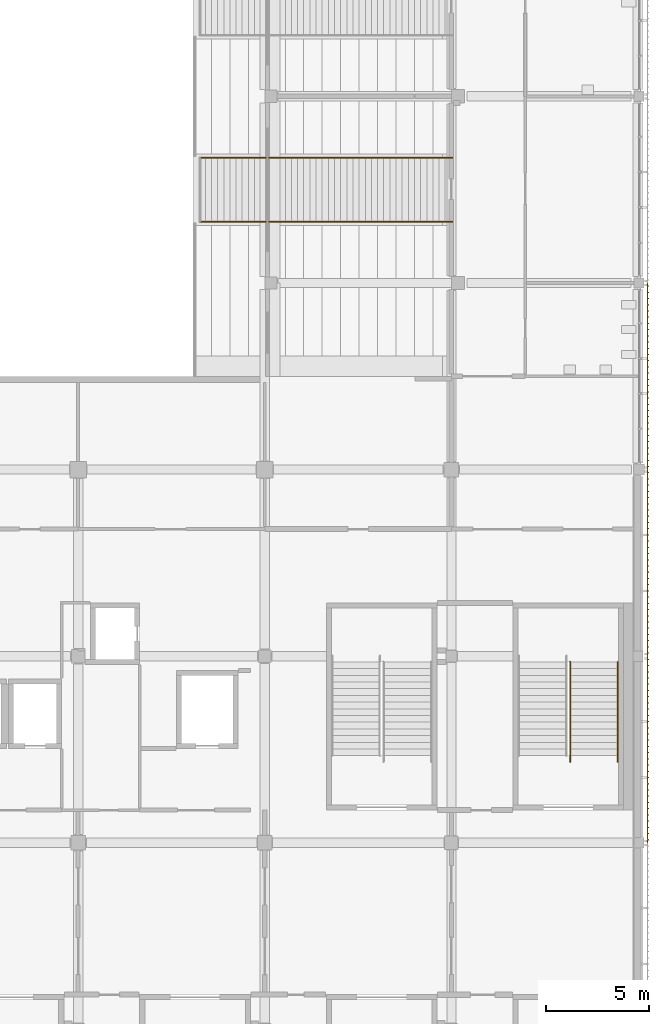
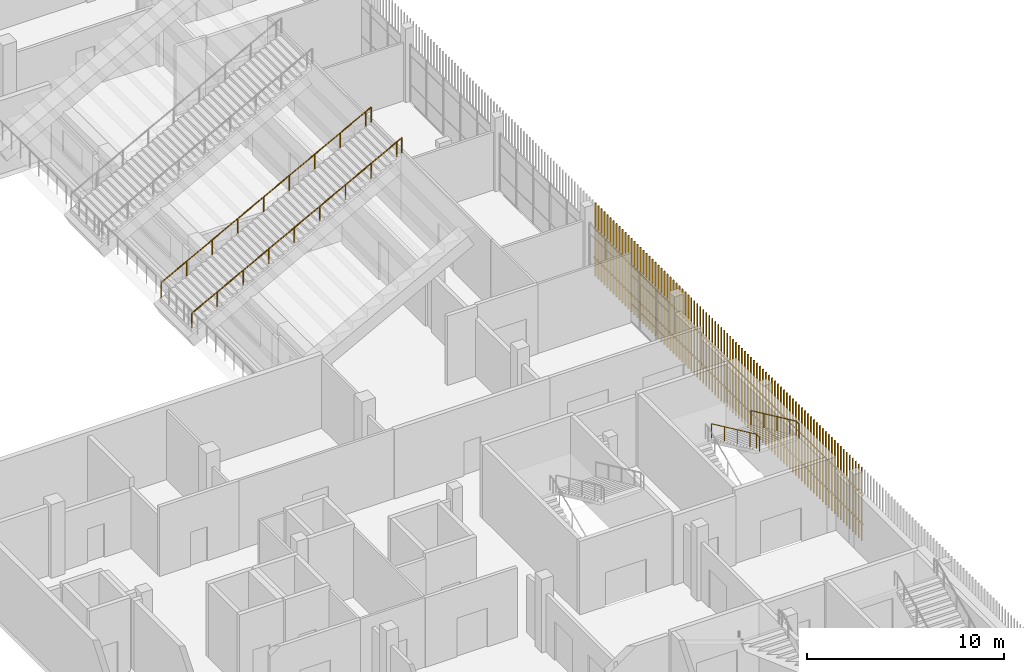
# One storey, part 132 of 139: 4 railings, 3 shading devices.
"""IFC4 building model written with IfcOpenShell, lengths in metres."""

from ifc_helpers import new_model, si_unit, direction, frame, origin, origin_2d, place, context, subcontext, project, spatial, rectangle, circle, extrude, material, type_object, element, save


model = new_model("IFC4")

# Units and contexts
model_context = context("Model", 3, precision=1e-05, world=origin(), true_north=direction((0.0, 1.0)))
body_context = subcontext(model_context, "Body", "Model", "MODEL_VIEW")
ifc_project = project(units=[si_unit("LENGTHUNIT", "METRE"), si_unit("AREAUNIT", "SQUARE_METRE"), si_unit("VOLUMEUNIT", "CUBIC_METRE"), si_unit("PLANEANGLEUNIT", "RADIAN"), si_unit("MASSUNIT", "GRAM", prefix="KILO")], contexts=[model_context])

# Site, building, storey
site_placement = place(None, origin())
site = spatial("IfcSite", under=ifc_project, at=site_placement, CompositionType="ELEMENT")
building_placement = place(site_placement, origin())
building = spatial("IfcBuilding", under=site, at=building_placement, Name="Shirokan Park Arena", CompositionType="ELEMENT")
storey_placement = place(building_placement, frame((0.0, 0.0, 15.469970703125)))
storey = spatial("IfcBuildingStorey", under=building, at=storey_placement, Name="L03", CompositionType="ELEMENT", Elevation=15.469970703125)

# Railings
ifc_material_1 = material(Name="Stainless steel", Category="steel")
railing_type_1 = type_object("IfcRailingType", Name="Aisle handrail 900", PredefinedType="HANDRAIL", material=ifc_material_1)
railing_1_placement = place(storey_placement, frame((124.25, 48.489990234375, 2.5400390625)))
element("IfcRailing", 1, at=railing_1_placement, inside=storey, type_object=railing_type_1, Name="Handrail vomitory stair E1 upper", PredefinedType="HANDRAIL", context=body_context, shape_type="SweptSolid", body=[
    extrude(circle(Radius=0.02490234375, at=origin_2d()), frame((0.0, 0.0, 0.90185546875), z_axis=(0.882341014787, 0.0, 0.470610596591), x_axis=(0.0, 1.0, 0.0)), (0.0, 0.0, 1.0), 1.699951171875),
    extrude(circle(Radius=0.02490234375, at=origin_2d()), frame((1.5, 0.0, 1.70166015625), z_axis=(0.882341014787, 0.0, 0.470610596591), x_axis=(0.0, 1.0, 0.0)), (0.0, 0.0, 1.0), 1.699951171875),
    extrude(circle(Radius=0.02490234375, at=origin_2d()), frame((3.0, 0.0, 2.501953125), z_axis=(0.88240064429, 0.0, 0.470498781037), x_axis=(0.0, 1.0, 0.0)), (0.0, 0.0, 1.0), 1.699951171875),
    extrude(circle(Radius=0.02490234375, at=origin_2d()), frame((4.5, 0.0, 3.3017578125), z_axis=(0.882341014787, 0.0, 0.470610596591), x_axis=(0.0, 1.0, 0.0)), (0.0, 0.0, 1.0), 1.699951171875),
    extrude(circle(Radius=0.02490234375, at=origin_2d()), frame((6.0, 0.0, 4.1015625), z_axis=(0.882341014787, 0.0, 0.470610596591), x_axis=(0.0, 1.0, 0.0)), (0.0, 0.0, 1.0), 1.699951171875),
    extrude(circle(Radius=0.02490234375, at=origin_2d()), frame((7.5, 0.0, 4.90185546875), z_axis=(0.882341014787, 0.0, 0.470610596591), x_axis=(0.0, 1.0, 0.0)), (0.0, 0.0, 1.0), 1.699951171875),
    extrude(circle(Radius=0.02490234375, at=origin_2d()), frame((9.0, 0.0, 5.70166015625), z_axis=(0.882341014787, 0.0, 0.470610596591), x_axis=(0.0, 1.0, 0.0)), (0.0, 0.0, 1.0), 1.699951171875),
    extrude(circle(Radius=0.02490234375, at=origin_2d()), frame((10.5, 0.0, 6.501953125), z_axis=(0.88240064429, 0.0, 0.470498781037), x_axis=(0.0, 1.0, 0.0)), (0.0, 0.0, 1.0), 1.699951171875),
    extrude(circle(Radius=0.02490234375, at=origin_2d()), frame((12.0, 0.0, 7.3017578125), z_axis=(0.882193928472, 0.0, 0.470886262878), x_axis=(0.0, 1.0, 0.0)), (0.0, 0.0, 1.0), 0.340087890625),
    extrude(circle(Radius=0.02490234375, at=origin_2d()), origin(), (0.0, 0.0, 1.0), 0.876708984375),
    extrude(circle(Radius=0.02490234375, at=origin_2d()), frame((1.5, 0.0, 0.800048828125)), (0.0, 0.0, 1.0), 0.876708984375),
    extrude(circle(Radius=0.02490234375, at=origin_2d()), frame((3.0, 0.0, 1.60009765625)), (0.0, 0.0, 1.0), 0.876708984375),
    extrude(circle(Radius=0.02490234375, at=origin_2d()), frame((4.5, 0.0, 2.39990234375)), (0.0, 0.0, 1.0), 0.876708984375),
    extrude(circle(Radius=0.02490234375, at=origin_2d()), frame((6.0, 0.0, 3.199951171875)), (0.0, 0.0, 1.0), 0.876708984375),
    extrude(circle(Radius=0.02490234375, at=origin_2d()), frame((7.5, 0.0, 4.0)), (0.0, 0.0, 1.0), 0.876708984375),
    extrude(circle(Radius=0.02490234375, at=origin_2d()), frame((9.0, 0.0, 4.800048828125)), (0.0, 0.0, 1.0), 0.876708984375),
    extrude(circle(Radius=0.02490234375, at=origin_2d()), frame((10.5, 0.0, 5.60009765625)), (0.0, 0.0, 1.0), 0.876708984375),
    extrude(circle(Radius=0.02490234375, at=origin_2d()), frame((12.0, 0.0, 6.39990234375)), (0.0, 0.0, 1.0), 0.876708984375),
    extrude(circle(Radius=0.02490234375, at=origin_2d()), frame((12.300048828125, 0.0, 6.56005859375)), (0.0, 0.0, 1.0), 0.876708984375),
])
railing_2_placement = place(storey_placement, frame((124.25, 51.610107421875, 2.5400390625)))
element("IfcRailing", 2, at=railing_2_placement, inside=storey, type_object=railing_type_1, Name="Handrail vomitory stair E1 upper", PredefinedType="HANDRAIL", context=body_context, shape_type="SweptSolid", body=[
    extrude(circle(Radius=0.02490234375, at=origin_2d()), frame((0.0, 0.0, 0.90185546875), z_axis=(0.882341014787, 0.0, 0.470610596591), x_axis=(0.0, 1.0, 0.0)), (0.0, 0.0, 1.0), 1.699951171875),
    extrude(circle(Radius=0.02490234375, at=origin_2d()), frame((1.5, 0.0, 1.70166015625), z_axis=(0.882341014787, 0.0, 0.470610596591), x_axis=(0.0, 1.0, 0.0)), (0.0, 0.0, 1.0), 1.699951171875),
    extrude(circle(Radius=0.02490234375, at=origin_2d()), frame((3.0, 0.0, 2.501953125), z_axis=(0.88240064429, 0.0, 0.470498781037), x_axis=(0.0, 1.0, 0.0)), (0.0, 0.0, 1.0), 1.699951171875),
    extrude(circle(Radius=0.02490234375, at=origin_2d()), frame((4.5, 0.0, 3.3017578125), z_axis=(0.882341014787, 0.0, 0.470610596591), x_axis=(0.0, 1.0, 0.0)), (0.0, 0.0, 1.0), 1.699951171875),
    extrude(circle(Radius=0.02490234375, at=origin_2d()), frame((6.0, 0.0, 4.1015625), z_axis=(0.882341014787, 0.0, 0.470610596591), x_axis=(0.0, 1.0, 0.0)), (0.0, 0.0, 1.0), 1.699951171875),
    extrude(circle(Radius=0.02490234375, at=origin_2d()), frame((7.5, 0.0, 4.90185546875), z_axis=(0.882341014787, 0.0, 0.470610596591), x_axis=(0.0, 1.0, 0.0)), (0.0, 0.0, 1.0), 1.699951171875),
    extrude(circle(Radius=0.02490234375, at=origin_2d()), frame((9.0, 0.0, 5.70166015625), z_axis=(0.882341014787, 0.0, 0.470610596591), x_axis=(0.0, 1.0, 0.0)), (0.0, 0.0, 1.0), 1.699951171875),
    extrude(circle(Radius=0.02490234375, at=origin_2d()), frame((10.5, 0.0, 6.501953125), z_axis=(0.88240064429, 0.0, 0.470498781037), x_axis=(0.0, 1.0, 0.0)), (0.0, 0.0, 1.0), 1.699951171875),
    extrude(circle(Radius=0.02490234375, at=origin_2d()), frame((12.0, 0.0, 7.3017578125), z_axis=(0.882193928472, 0.0, 0.470886262878), x_axis=(0.0, 1.0, 0.0)), (0.0, 0.0, 1.0), 0.340087890625),
    extrude(circle(Radius=0.02490234375, at=origin_2d()), origin(), (0.0, 0.0, 1.0), 0.876708984375),
    extrude(circle(Radius=0.02490234375, at=origin_2d()), frame((1.5, 0.0, 0.800048828125)), (0.0, 0.0, 1.0), 0.876708984375),
    extrude(circle(Radius=0.02490234375, at=origin_2d()), frame((3.0, 0.0, 1.60009765625)), (0.0, 0.0, 1.0), 0.876708984375),
    extrude(circle(Radius=0.02490234375, at=origin_2d()), frame((4.5, 0.0, 2.39990234375)), (0.0, 0.0, 1.0), 0.876708984375),
    extrude(circle(Radius=0.02490234375, at=origin_2d()), frame((6.0, 0.0, 3.199951171875)), (0.0, 0.0, 1.0), 0.876708984375),
    extrude(circle(Radius=0.02490234375, at=origin_2d()), frame((7.5, 0.0, 4.0)), (0.0, 0.0, 1.0), 0.876708984375),
    extrude(circle(Radius=0.02490234375, at=origin_2d()), frame((9.0, 0.0, 4.800048828125)), (0.0, 0.0, 1.0), 0.876708984375),
    extrude(circle(Radius=0.02490234375, at=origin_2d()), frame((10.5, 0.0, 5.60009765625)), (0.0, 0.0, 1.0), 0.876708984375),
    extrude(circle(Radius=0.02490234375, at=origin_2d()), frame((12.0, 0.0, 6.39990234375)), (0.0, 0.0, 1.0), 0.876708984375),
    extrude(circle(Radius=0.02490234375, at=origin_2d()), frame((12.300048828125, 0.0, 6.56005859375)), (0.0, 0.0, 1.0), 0.876708984375),
])
railing_type_2 = type_object("IfcRailingType", Name="Stair handrail 900", PredefinedType="HANDRAIL", material=ifc_material_1)
railing_3_placement = place(storey_placement, frame((142.2900390625, 27.023681640625, 2.4267578125)))
element("IfcRailing", 3, at=railing_3_placement, inside=storey, type_object=railing_type_2, Name="Handrail Exit Stair 2.E L03 to L04", PredefinedType="HANDRAIL", context=body_context, shape_type="SweptSolid", body=[
    extrude(circle(Radius=0.02392578125, at=origin_2d()), frame((0.0, 0.0, 0.8759765625), z_axis=(0.0, -0.906999720516, 0.421131222998), x_axis=(1.0, 0.0, 0.0)), (0.0, 0.0, 1.0), 1.440673828125),
    extrude(circle(Radius=0.02392578125, at=origin_2d()), frame((0.0, -1.306640625, 1.482421875), z_axis=(0.0, -0.907029769225, 0.421066500378), x_axis=(1.0, 0.0, 0.0)), (0.0, 0.0, 1.0), 1.44091796875),
    extrude(circle(Radius=0.02392578125, at=origin_2d()), frame((0.0, -2.613525390625, 2.08935546875), z_axis=(0.0, -0.907064445915, 0.420991794405), x_axis=(1.0, 0.0, 0.0)), (0.0, 0.0, 1.0), 1.4404296875),
    extrude(circle(Radius=0.02392578125, at=origin_2d()), frame((0.0, -3.920166015625, 2.69580078125), z_axis=(0.0, -0.906995101989, 0.421141169881), x_axis=(1.0, 0.0, 0.0)), (0.0, 0.0, 1.0), 0.720703125),
    extrude(circle(Radius=0.02392578125, at=origin_2d()), frame((0.0, -4.57373046875, 2.9990234375), z_axis=(0.0, -1.0, 0.0), x_axis=(1.0, 0.0, 0.0)), (0.0, 0.0, 1.0), 0.300048828125),
    extrude(circle(Radius=0.02099609375, at=origin_2d()), origin(), (0.0, 0.0, 1.0), 0.851806640625),
    extrude(circle(Radius=0.02099609375, at=origin_2d()), frame((0.0, -1.306640625, 0.606689453125)), (0.0, 0.0, 1.0), 0.851806640625),
    extrude(circle(Radius=0.02099609375, at=origin_2d()), frame((0.0, -2.613525390625, 1.21337890625)), (0.0, 0.0, 1.0), 0.851806640625),
    extrude(circle(Radius=0.02099609375, at=origin_2d()), frame((0.0, -3.920166015625, 1.81982421875)), (0.0, 0.0, 1.0), 0.851806640625),
    extrude(circle(Radius=0.02099609375, at=origin_2d()), frame((0.0, -4.57373046875, 2.123291015625)), (0.0, 0.0, 1.0), 0.851806640625),
    extrude(circle(Radius=0.02099609375, at=origin_2d()), frame((0.0, -4.873779296875, 2.123291015625)), (0.0, 0.0, 1.0), 0.851806640625),
])
railing_4_placement = place(storey_placement, frame((144.610107421875, 27.023681640625, 2.4267578125)))
element("IfcRailing", 4, at=railing_4_placement, inside=storey, type_object=railing_type_2, Name="Handrail Exit Stair 2.E L03 to L04", PredefinedType="HANDRAIL", context=body_context, shape_type="SweptSolid", body=[
    extrude(circle(Radius=0.02392578125, at=origin_2d()), frame((0.0, 0.0, 0.8759765625), z_axis=(0.0, -0.906999720516, 0.421131222998), x_axis=(1.0, 0.0, 0.0)), (0.0, 0.0, 1.0), 1.440673828125),
    extrude(circle(Radius=0.02392578125, at=origin_2d()), frame((0.0, -1.306640625, 1.482421875), z_axis=(0.0, -0.907029769225, 0.421066500378), x_axis=(1.0, 0.0, 0.0)), (0.0, 0.0, 1.0), 1.44091796875),
    extrude(circle(Radius=0.02392578125, at=origin_2d()), frame((0.0, -2.613525390625, 2.08935546875), z_axis=(0.0, -0.907064445915, 0.420991794405), x_axis=(1.0, 0.0, 0.0)), (0.0, 0.0, 1.0), 1.4404296875),
    extrude(circle(Radius=0.02392578125, at=origin_2d()), frame((0.0, -3.920166015625, 2.69580078125), z_axis=(0.0, -0.906995101989, 0.421141169881), x_axis=(1.0, 0.0, 0.0)), (0.0, 0.0, 1.0), 0.720703125),
    extrude(circle(Radius=0.02392578125, at=origin_2d()), frame((0.0, -4.57373046875, 2.9990234375), z_axis=(0.0, -1.0, 0.0), x_axis=(1.0, 0.0, 0.0)), (0.0, 0.0, 1.0), 0.300048828125),
    extrude(circle(Radius=0.02099609375, at=origin_2d()), origin(), (0.0, 0.0, 1.0), 0.851806640625),
    extrude(circle(Radius=0.02099609375, at=origin_2d()), frame((0.0, -1.306640625, 0.606689453125)), (0.0, 0.0, 1.0), 0.851806640625),
    extrude(circle(Radius=0.02099609375, at=origin_2d()), frame((0.0, -2.613525390625, 1.21337890625)), (0.0, 0.0, 1.0), 0.851806640625),
    extrude(circle(Radius=0.02099609375, at=origin_2d()), frame((0.0, -3.920166015625, 1.81982421875)), (0.0, 0.0, 1.0), 0.851806640625),
    extrude(circle(Radius=0.02099609375, at=origin_2d()), frame((0.0, -4.57373046875, 2.123291015625)), (0.0, 0.0, 1.0), 0.851806640625),
    extrude(circle(Radius=0.02099609375, at=origin_2d()), frame((0.0, -4.873779296875, 2.123291015625)), (0.0, 0.0, 1.0), 0.851806640625),
])

# Shading devices
ifc_material_2 = material(Name="Timber louvre veil (cedar)", Category="wood")
shading_device_type = type_object("IfcShadingDeviceType", Name="Timber louvre veil panel", PredefinedType="JALOUSIE", material=ifc_material_2)
shading_device_1_placement = place(storey_placement, origin())
element("IfcShadingDevice", 5, at=shading_device_1_placement, inside=storey, type_object=shading_device_type, Name="Timber louvre veil east bay 3 L03", PredefinedType="JALOUSIE", context=body_context, shape_type="SweptSolid", body=[
    extrude(rectangle(XDim=0.050048828125, YDim=0.080078125, at=origin_2d()), frame((146.0849609375, 18.3515625, 0.0), z_axis=(0.0, 0.0, 1.0), x_axis=(0.0, 1.0, 0.0)), (0.0, 0.0, 1.0), 4.550048828125),
    extrude(rectangle(XDim=0.050048828125, YDim=0.080078125, at=origin_2d()), frame((146.0849609375, 18.655029296875, 0.0), z_axis=(0.0, 0.0, 1.0), x_axis=(0.0, 1.0, 0.0)), (0.0, 0.0, 1.0), 4.550048828125),
    extrude(rectangle(XDim=0.050048828125, YDim=0.080078125, at=origin_2d()), frame((146.0849609375, 18.958251953125, 0.0), z_axis=(0.0, 0.0, 1.0), x_axis=(0.0, 1.0, 0.0)), (0.0, 0.0, 1.0), 4.550048828125),
    extrude(rectangle(XDim=0.050048828125, YDim=0.080078125, at=origin_2d()), frame((146.0849609375, 19.26171875, 0.0), z_axis=(0.0, 0.0, 1.0), x_axis=(0.0, 1.0, 0.0)), (0.0, 0.0, 1.0), 4.550048828125),
    extrude(rectangle(XDim=0.050048828125, YDim=0.080078125, at=origin_2d()), frame((146.0849609375, 19.56494140625, 0.0), z_axis=(0.0, 0.0, 1.0), x_axis=(0.0, 1.0, 0.0)), (0.0, 0.0, 1.0), 4.550048828125),
    extrude(rectangle(XDim=0.050048828125, YDim=0.080078125, at=origin_2d()), frame((146.0849609375, 19.868408203125, 0.0), z_axis=(0.0, 0.0, 1.0), x_axis=(0.0, 1.0, 0.0)), (0.0, 0.0, 1.0), 4.550048828125),
    extrude(rectangle(XDim=0.050048828125, YDim=0.080078125, at=origin_2d()), frame((146.0849609375, 20.171630859375, 0.0), z_axis=(0.0, 0.0, 1.0), x_axis=(0.0, 1.0, 0.0)), (0.0, 0.0, 1.0), 4.550048828125),
    extrude(rectangle(XDim=0.050048828125, YDim=0.080078125, at=origin_2d()), frame((146.0849609375, 20.47509765625, 0.0), z_axis=(0.0, 0.0, 1.0), x_axis=(0.0, 1.0, 0.0)), (0.0, 0.0, 1.0), 4.550048828125),
    extrude(rectangle(XDim=0.050048828125, YDim=0.080078125, at=origin_2d()), frame((146.0849609375, 20.7783203125, 0.0), z_axis=(0.0, 0.0, 1.0), x_axis=(0.0, 1.0, 0.0)), (0.0, 0.0, 1.0), 4.550048828125),
    extrude(rectangle(XDim=0.050048828125, YDim=0.080078125, at=origin_2d()), frame((146.0849609375, 21.081787109375, 0.0), z_axis=(0.0, 0.0, 1.0), x_axis=(0.0, 1.0, 0.0)), (0.0, 0.0, 1.0), 4.550048828125),
    extrude(rectangle(XDim=0.050048828125, YDim=0.080078125, at=origin_2d()), frame((146.0849609375, 21.385009765625, 0.0), z_axis=(0.0, 0.0, 1.0), x_axis=(0.0, 1.0, 0.0)), (0.0, 0.0, 1.0), 4.550048828125),
    extrude(rectangle(XDim=0.050048828125, YDim=0.080078125, at=origin_2d()), frame((146.0849609375, 21.688232421875, 0.0), z_axis=(0.0, 0.0, 1.0), x_axis=(0.0, 1.0, 0.0)), (0.0, 0.0, 1.0), 4.550048828125),
    extrude(rectangle(XDim=0.050048828125, YDim=0.080078125, at=origin_2d()), frame((146.0849609375, 21.99169921875, 0.0), z_axis=(0.0, 0.0, 1.0), x_axis=(0.0, 1.0, 0.0)), (0.0, 0.0, 1.0), 4.550048828125),
    extrude(rectangle(XDim=0.050048828125, YDim=0.080078125, at=origin_2d()), frame((146.0849609375, 22.294921875, 0.0), z_axis=(0.0, 0.0, 1.0), x_axis=(0.0, 1.0, 0.0)), (0.0, 0.0, 1.0), 4.550048828125),
    extrude(rectangle(XDim=0.050048828125, YDim=0.080078125, at=origin_2d()), frame((146.0849609375, 22.598388671875, 0.0), z_axis=(0.0, 0.0, 1.0), x_axis=(0.0, 1.0, 0.0)), (0.0, 0.0, 1.0), 4.550048828125),
    extrude(rectangle(XDim=0.050048828125, YDim=0.080078125, at=origin_2d()), frame((146.0849609375, 22.901611328125, 0.0), z_axis=(0.0, 0.0, 1.0), x_axis=(0.0, 1.0, 0.0)), (0.0, 0.0, 1.0), 4.550048828125),
    extrude(rectangle(XDim=0.050048828125, YDim=0.080078125, at=origin_2d()), frame((146.0849609375, 23.205078125, 0.0), z_axis=(0.0, 0.0, 1.0), x_axis=(0.0, 1.0, 0.0)), (0.0, 0.0, 1.0), 4.550048828125),
    extrude(rectangle(XDim=0.050048828125, YDim=0.080078125, at=origin_2d()), frame((146.0849609375, 23.50830078125, 0.0), z_axis=(0.0, 0.0, 1.0), x_axis=(0.0, 1.0, 0.0)), (0.0, 0.0, 1.0), 4.550048828125),
    extrude(rectangle(XDim=0.050048828125, YDim=0.080078125, at=origin_2d()), frame((146.0849609375, 23.811767578125, 0.0), z_axis=(0.0, 0.0, 1.0), x_axis=(0.0, 1.0, 0.0)), (0.0, 0.0, 1.0), 4.550048828125),
    extrude(rectangle(XDim=0.050048828125, YDim=0.080078125, at=origin_2d()), frame((146.0849609375, 24.114990234375, 0.0), z_axis=(0.0, 0.0, 1.0), x_axis=(0.0, 1.0, 0.0)), (0.0, 0.0, 1.0), 4.550048828125),
    extrude(rectangle(XDim=0.050048828125, YDim=0.080078125, at=origin_2d()), frame((146.0849609375, 24.418212890625, 0.0), z_axis=(0.0, 0.0, 1.0), x_axis=(0.0, 1.0, 0.0)), (0.0, 0.0, 1.0), 4.550048828125),
    extrude(rectangle(XDim=0.050048828125, YDim=0.080078125, at=origin_2d()), frame((146.0849609375, 24.7216796875, 0.0), z_axis=(0.0, 0.0, 1.0), x_axis=(0.0, 1.0, 0.0)), (0.0, 0.0, 1.0), 4.550048828125),
    extrude(rectangle(XDim=0.050048828125, YDim=0.080078125, at=origin_2d()), frame((146.0849609375, 25.02490234375, 0.0), z_axis=(0.0, 0.0, 1.0), x_axis=(0.0, 1.0, 0.0)), (0.0, 0.0, 1.0), 4.550048828125),
    extrude(rectangle(XDim=0.050048828125, YDim=0.080078125, at=origin_2d()), frame((146.0849609375, 25.328369140625, 0.0), z_axis=(0.0, 0.0, 1.0), x_axis=(0.0, 1.0, 0.0)), (0.0, 0.0, 1.0), 4.550048828125),
    extrude(rectangle(XDim=0.050048828125, YDim=0.080078125, at=origin_2d()), frame((146.0849609375, 25.631591796875, 0.0), z_axis=(0.0, 0.0, 1.0), x_axis=(0.0, 1.0, 0.0)), (0.0, 0.0, 1.0), 4.550048828125),
    extrude(rectangle(XDim=0.050048828125, YDim=0.080078125, at=origin_2d()), frame((146.0849609375, 25.93505859375, 0.0), z_axis=(0.0, 0.0, 1.0), x_axis=(0.0, 1.0, 0.0)), (0.0, 0.0, 1.0), 4.550048828125),
    extrude(rectangle(XDim=0.050048828125, YDim=0.080078125, at=origin_2d()), frame((146.0849609375, 26.23828125, 0.0), z_axis=(0.0, 0.0, 1.0), x_axis=(0.0, 1.0, 0.0)), (0.0, 0.0, 1.0), 4.550048828125),
    extrude(rectangle(XDim=0.050048828125, YDim=0.080078125, at=origin_2d()), frame((146.0849609375, 26.541748046875, 0.0), z_axis=(0.0, 0.0, 1.0), x_axis=(0.0, 1.0, 0.0)), (0.0, 0.0, 1.0), 4.550048828125),
    extrude(rectangle(XDim=0.050048828125, YDim=0.080078125, at=origin_2d()), frame((146.0849609375, 26.844970703125, 0.0), z_axis=(0.0, 0.0, 1.0), x_axis=(0.0, 1.0, 0.0)), (0.0, 0.0, 1.0), 4.550048828125),
    extrude(rectangle(XDim=0.050048828125, YDim=0.080078125, at=origin_2d()), frame((146.0849609375, 27.1484375, 0.0), z_axis=(0.0, 0.0, 1.0), x_axis=(0.0, 1.0, 0.0)), (0.0, 0.0, 1.0), 4.550048828125),
    extrude(rectangle(XDim=9.10009765625, YDim=0.050048828125, at=origin_2d()), frame((146.070068359375, 22.75, 1.06005859375), z_axis=(0.0, 0.0, 1.0), x_axis=(0.0, 1.0, 0.0)), (0.0, 0.0, 1.0), 0.080078125),
    extrude(rectangle(XDim=9.10009765625, YDim=0.050048828125, at=origin_2d()), frame((146.070068359375, 22.75, 2.860107421875), z_axis=(0.0, 0.0, 1.0), x_axis=(0.0, 1.0, 0.0)), (0.0, 0.0, 1.0), 0.080078125),
])
shading_device_2_placement = place(storey_placement, origin())
element("IfcShadingDevice", 6, at=shading_device_2_placement, inside=storey, type_object=shading_device_type, Name="Timber louvre veil east bay 4 L03", PredefinedType="JALOUSIE", context=body_context, shape_type="SweptSolid", body=[
    extrude(rectangle(XDim=0.050048828125, YDim=0.080078125, at=origin_2d()), frame((146.0849609375, 27.45166015625, 0.0), z_axis=(0.0, 0.0, 1.0), x_axis=(0.0, 1.0, 0.0)), (0.0, 0.0, 1.0), 4.550048828125),
    extrude(rectangle(XDim=0.050048828125, YDim=0.080078125, at=origin_2d()), frame((146.0849609375, 27.7548828125, 0.0), z_axis=(0.0, 0.0, 1.0), x_axis=(0.0, 1.0, 0.0)), (0.0, 0.0, 1.0), 4.550048828125),
    extrude(rectangle(XDim=0.050048828125, YDim=0.080078125, at=origin_2d()), frame((146.0849609375, 28.058349609375, 0.0), z_axis=(0.0, 0.0, 1.0), x_axis=(0.0, 1.0, 0.0)), (0.0, 0.0, 1.0), 4.550048828125),
    extrude(rectangle(XDim=0.050048828125, YDim=0.080078125, at=origin_2d()), frame((146.0849609375, 28.361572265625, 0.0), z_axis=(0.0, 0.0, 1.0), x_axis=(0.0, 1.0, 0.0)), (0.0, 0.0, 1.0), 4.550048828125),
    extrude(rectangle(XDim=0.050048828125, YDim=0.080078125, at=origin_2d()), frame((146.0849609375, 28.6650390625, 0.0), z_axis=(0.0, 0.0, 1.0), x_axis=(0.0, 1.0, 0.0)), (0.0, 0.0, 1.0), 4.550048828125),
    extrude(rectangle(XDim=0.050048828125, YDim=0.080078125, at=origin_2d()), frame((146.0849609375, 28.96826171875, 0.0), z_axis=(0.0, 0.0, 1.0), x_axis=(0.0, 1.0, 0.0)), (0.0, 0.0, 1.0), 4.550048828125),
    extrude(rectangle(XDim=0.050048828125, YDim=0.080078125, at=origin_2d()), frame((146.0849609375, 29.271728515625, 0.0), z_axis=(0.0, 0.0, 1.0), x_axis=(0.0, 1.0, 0.0)), (0.0, 0.0, 1.0), 4.550048828125),
    extrude(rectangle(XDim=0.050048828125, YDim=0.080078125, at=origin_2d()), frame((146.0849609375, 29.574951171875, 0.0), z_axis=(0.0, 0.0, 1.0), x_axis=(0.0, 1.0, 0.0)), (0.0, 0.0, 1.0), 4.550048828125),
    extrude(rectangle(XDim=0.050048828125, YDim=0.080078125, at=origin_2d()), frame((146.0849609375, 29.87841796875, 0.0), z_axis=(0.0, 0.0, 1.0), x_axis=(0.0, 1.0, 0.0)), (0.0, 0.0, 1.0), 4.550048828125),
    extrude(rectangle(XDim=0.050048828125, YDim=0.080078125, at=origin_2d()), frame((146.0849609375, 30.181640625, 0.0), z_axis=(0.0, 0.0, 1.0), x_axis=(0.0, 1.0, 0.0)), (0.0, 0.0, 1.0), 4.550048828125),
    extrude(rectangle(XDim=0.050048828125, YDim=0.080078125, at=origin_2d()), frame((146.0849609375, 30.485107421875, 0.0), z_axis=(0.0, 0.0, 1.0), x_axis=(0.0, 1.0, 0.0)), (0.0, 0.0, 1.0), 4.550048828125),
    extrude(rectangle(XDim=0.050048828125, YDim=0.080078125, at=origin_2d()), frame((146.0849609375, 30.788330078125, 0.0), z_axis=(0.0, 0.0, 1.0), x_axis=(0.0, 1.0, 0.0)), (0.0, 0.0, 1.0), 4.550048828125),
    extrude(rectangle(XDim=0.050048828125, YDim=0.080078125, at=origin_2d()), frame((146.0849609375, 31.091552734375, 0.0), z_axis=(0.0, 0.0, 1.0), x_axis=(0.0, 1.0, 0.0)), (0.0, 0.0, 1.0), 4.550048828125),
    extrude(rectangle(XDim=0.050048828125, YDim=0.080078125, at=origin_2d()), frame((146.0849609375, 31.39501953125, 0.0), z_axis=(0.0, 0.0, 1.0), x_axis=(0.0, 1.0, 0.0)), (0.0, 0.0, 1.0), 4.550048828125),
    extrude(rectangle(XDim=0.050048828125, YDim=0.080078125, at=origin_2d()), frame((146.0849609375, 31.6982421875, 0.0), z_axis=(0.0, 0.0, 1.0), x_axis=(0.0, 1.0, 0.0)), (0.0, 0.0, 1.0), 4.550048828125),
    extrude(rectangle(XDim=0.050048828125, YDim=0.080078125, at=origin_2d()), frame((146.0849609375, 32.001708984375, 0.0), z_axis=(0.0, 0.0, 1.0), x_axis=(0.0, 1.0, 0.0)), (0.0, 0.0, 1.0), 4.550048828125),
    extrude(rectangle(XDim=0.050048828125, YDim=0.080078125, at=origin_2d()), frame((146.0849609375, 32.304931640625, 0.0), z_axis=(0.0, 0.0, 1.0), x_axis=(0.0, 1.0, 0.0)), (0.0, 0.0, 1.0), 4.550048828125),
    extrude(rectangle(XDim=0.050048828125, YDim=0.080078125, at=origin_2d()), frame((146.0849609375, 32.6083984375, 0.0), z_axis=(0.0, 0.0, 1.0), x_axis=(0.0, 1.0, 0.0)), (0.0, 0.0, 1.0), 4.550048828125),
    extrude(rectangle(XDim=0.050048828125, YDim=0.080078125, at=origin_2d()), frame((146.0849609375, 32.91162109375, 0.0), z_axis=(0.0, 0.0, 1.0), x_axis=(0.0, 1.0, 0.0)), (0.0, 0.0, 1.0), 4.550048828125),
    extrude(rectangle(XDim=0.050048828125, YDim=0.080078125, at=origin_2d()), frame((146.0849609375, 33.215087890625, 0.0), z_axis=(0.0, 0.0, 1.0), x_axis=(0.0, 1.0, 0.0)), (0.0, 0.0, 1.0), 4.550048828125),
    extrude(rectangle(XDim=0.050048828125, YDim=0.080078125, at=origin_2d()), frame((146.0849609375, 33.518310546875, 0.0), z_axis=(0.0, 0.0, 1.0), x_axis=(0.0, 1.0, 0.0)), (0.0, 0.0, 1.0), 4.550048828125),
    extrude(rectangle(XDim=0.050048828125, YDim=0.080078125, at=origin_2d()), frame((146.0849609375, 33.82177734375, 0.0), z_axis=(0.0, 0.0, 1.0), x_axis=(0.0, 1.0, 0.0)), (0.0, 0.0, 1.0), 4.550048828125),
    extrude(rectangle(XDim=0.050048828125, YDim=0.080078125, at=origin_2d()), frame((146.0849609375, 34.125, 0.0), z_axis=(0.0, 0.0, 1.0), x_axis=(0.0, 1.0, 0.0)), (0.0, 0.0, 1.0), 4.550048828125),
    extrude(rectangle(XDim=0.050048828125, YDim=0.080078125, at=origin_2d()), frame((146.0849609375, 34.42822265625, 0.0), z_axis=(0.0, 0.0, 1.0), x_axis=(0.0, 1.0, 0.0)), (0.0, 0.0, 1.0), 4.550048828125),
    extrude(rectangle(XDim=0.050048828125, YDim=0.080078125, at=origin_2d()), frame((146.0849609375, 34.731689453125, 0.0), z_axis=(0.0, 0.0, 1.0), x_axis=(0.0, 1.0, 0.0)), (0.0, 0.0, 1.0), 4.550048828125),
    extrude(rectangle(XDim=0.050048828125, YDim=0.080078125, at=origin_2d()), frame((146.0849609375, 35.034912109375, 0.0), z_axis=(0.0, 0.0, 1.0), x_axis=(0.0, 1.0, 0.0)), (0.0, 0.0, 1.0), 4.550048828125),
    extrude(rectangle(XDim=0.050048828125, YDim=0.080078125, at=origin_2d()), frame((146.0849609375, 35.33837890625, 0.0), z_axis=(0.0, 0.0, 1.0), x_axis=(0.0, 1.0, 0.0)), (0.0, 0.0, 1.0), 4.550048828125),
    extrude(rectangle(XDim=0.050048828125, YDim=0.080078125, at=origin_2d()), frame((146.0849609375, 35.6416015625, 0.0), z_axis=(0.0, 0.0, 1.0), x_axis=(0.0, 1.0, 0.0)), (0.0, 0.0, 1.0), 4.550048828125),
    extrude(rectangle(XDim=0.050048828125, YDim=0.080078125, at=origin_2d()), frame((146.0849609375, 35.945068359375, 0.0), z_axis=(0.0, 0.0, 1.0), x_axis=(0.0, 1.0, 0.0)), (0.0, 0.0, 1.0), 4.550048828125),
    extrude(rectangle(XDim=0.050048828125, YDim=0.080078125, at=origin_2d()), frame((146.0849609375, 36.248291015625, 0.0), z_axis=(0.0, 0.0, 1.0), x_axis=(0.0, 1.0, 0.0)), (0.0, 0.0, 1.0), 4.550048828125),
    extrude(rectangle(XDim=9.10009765625, YDim=0.050048828125, at=origin_2d()), frame((146.070068359375, 31.85009765625, 1.06005859375), z_axis=(0.0, 0.0, 1.0), x_axis=(0.0, 1.0, 0.0)), (0.0, 0.0, 1.0), 0.080078125),
    extrude(rectangle(XDim=9.10009765625, YDim=0.050048828125, at=origin_2d()), frame((146.070068359375, 31.85009765625, 2.860107421875), z_axis=(0.0, 0.0, 1.0), x_axis=(0.0, 1.0, 0.0)), (0.0, 0.0, 1.0), 0.080078125),
])
shading_device_3_placement = place(storey_placement, origin())
element("IfcShadingDevice", 7, at=shading_device_3_placement, inside=storey, type_object=shading_device_type, Name="Timber louvre veil east bay 5 L03", PredefinedType="JALOUSIE", context=body_context, shape_type="SweptSolid", body=[
    extrude(rectangle(XDim=0.050048828125, YDim=0.080078125, at=origin_2d()), frame((146.0849609375, 36.5517578125, 0.0), z_axis=(0.0, 0.0, 1.0), x_axis=(0.0, 1.0, 0.0)), (0.0, 0.0, 1.0), 4.550048828125),
    extrude(rectangle(XDim=0.050048828125, YDim=0.080078125, at=origin_2d()), frame((146.0849609375, 36.85498046875, 0.0), z_axis=(0.0, 0.0, 1.0), x_axis=(0.0, 1.0, 0.0)), (0.0, 0.0, 1.0), 4.550048828125),
    extrude(rectangle(XDim=0.050048828125, YDim=0.080078125, at=origin_2d()), frame((146.0849609375, 37.158447265625, 0.0), z_axis=(0.0, 0.0, 1.0), x_axis=(0.0, 1.0, 0.0)), (0.0, 0.0, 1.0), 4.550048828125),
    extrude(rectangle(XDim=0.050048828125, YDim=0.080078125, at=origin_2d()), frame((146.0849609375, 37.461669921875, 0.0), z_axis=(0.0, 0.0, 1.0), x_axis=(0.0, 1.0, 0.0)), (0.0, 0.0, 1.0), 4.550048828125),
    extrude(rectangle(XDim=0.050048828125, YDim=0.080078125, at=origin_2d()), frame((146.0849609375, 37.764892578125, 0.0), z_axis=(0.0, 0.0, 1.0), x_axis=(0.0, 1.0, 0.0)), (0.0, 0.0, 1.0), 4.550048828125),
    extrude(rectangle(XDim=0.050048828125, YDim=0.080078125, at=origin_2d()), frame((146.0849609375, 38.068359375, 0.0), z_axis=(0.0, 0.0, 1.0), x_axis=(0.0, 1.0, 0.0)), (0.0, 0.0, 1.0), 4.550048828125),
    extrude(rectangle(XDim=0.050048828125, YDim=0.080078125, at=origin_2d()), frame((146.0849609375, 38.37158203125, 0.0), z_axis=(0.0, 0.0, 1.0), x_axis=(0.0, 1.0, 0.0)), (0.0, 0.0, 1.0), 4.550048828125),
    extrude(rectangle(XDim=0.050048828125, YDim=0.080078125, at=origin_2d()), frame((146.0849609375, 38.675048828125, 0.0), z_axis=(0.0, 0.0, 1.0), x_axis=(0.0, 1.0, 0.0)), (0.0, 0.0, 1.0), 4.550048828125),
    extrude(rectangle(XDim=0.050048828125, YDim=0.080078125, at=origin_2d()), frame((146.0849609375, 38.978271484375, 0.0), z_axis=(0.0, 0.0, 1.0), x_axis=(0.0, 1.0, 0.0)), (0.0, 0.0, 1.0), 4.550048828125),
    extrude(rectangle(XDim=0.050048828125, YDim=0.080078125, at=origin_2d()), frame((146.0849609375, 39.28173828125, 0.0), z_axis=(0.0, 0.0, 1.0), x_axis=(0.0, 1.0, 0.0)), (0.0, 0.0, 1.0), 4.550048828125),
    extrude(rectangle(XDim=0.050048828125, YDim=0.080078125, at=origin_2d()), frame((146.0849609375, 39.5849609375, 0.0), z_axis=(0.0, 0.0, 1.0), x_axis=(0.0, 1.0, 0.0)), (0.0, 0.0, 1.0), 4.550048828125),
    extrude(rectangle(XDim=0.050048828125, YDim=0.080078125, at=origin_2d()), frame((146.0849609375, 39.888427734375, 0.0), z_axis=(0.0, 0.0, 1.0), x_axis=(0.0, 1.0, 0.0)), (0.0, 0.0, 1.0), 4.550048828125),
    extrude(rectangle(XDim=0.050048828125, YDim=0.080078125, at=origin_2d()), frame((146.0849609375, 40.191650390625, 0.0), z_axis=(0.0, 0.0, 1.0), x_axis=(0.0, 1.0, 0.0)), (0.0, 0.0, 1.0), 4.550048828125),
    extrude(rectangle(XDim=0.050048828125, YDim=0.080078125, at=origin_2d()), frame((146.0849609375, 40.4951171875, 0.0), z_axis=(0.0, 0.0, 1.0), x_axis=(0.0, 1.0, 0.0)), (0.0, 0.0, 1.0), 4.550048828125),
    extrude(rectangle(XDim=0.050048828125, YDim=0.080078125, at=origin_2d()), frame((146.0849609375, 40.79833984375, 0.0), z_axis=(0.0, 0.0, 1.0), x_axis=(0.0, 1.0, 0.0)), (0.0, 0.0, 1.0), 4.550048828125),
    extrude(rectangle(XDim=0.050048828125, YDim=0.080078125, at=origin_2d()), frame((146.0849609375, 41.1015625, 0.0), z_axis=(0.0, 0.0, 1.0), x_axis=(0.0, 1.0, 0.0)), (0.0, 0.0, 1.0), 4.550048828125),
    extrude(rectangle(XDim=0.050048828125, YDim=0.080078125, at=origin_2d()), frame((146.0849609375, 41.405029296875, 0.0), z_axis=(0.0, 0.0, 1.0), x_axis=(0.0, 1.0, 0.0)), (0.0, 0.0, 1.0), 4.550048828125),
    extrude(rectangle(XDim=0.050048828125, YDim=0.080078125, at=origin_2d()), frame((146.0849609375, 41.708251953125, 0.0), z_axis=(0.0, 0.0, 1.0), x_axis=(0.0, 1.0, 0.0)), (0.0, 0.0, 1.0), 4.550048828125),
    extrude(rectangle(XDim=0.050048828125, YDim=0.080078125, at=origin_2d()), frame((146.0849609375, 42.01171875, 0.0), z_axis=(0.0, 0.0, 1.0), x_axis=(0.0, 1.0, 0.0)), (0.0, 0.0, 1.0), 4.550048828125),
    extrude(rectangle(XDim=0.050048828125, YDim=0.080078125, at=origin_2d()), frame((146.0849609375, 42.31494140625, 0.0), z_axis=(0.0, 0.0, 1.0), x_axis=(0.0, 1.0, 0.0)), (0.0, 0.0, 1.0), 4.550048828125),
    extrude(rectangle(XDim=0.050048828125, YDim=0.080078125, at=origin_2d()), frame((146.0849609375, 42.618408203125, 0.0), z_axis=(0.0, 0.0, 1.0), x_axis=(0.0, 1.0, 0.0)), (0.0, 0.0, 1.0), 4.550048828125),
    extrude(rectangle(XDim=0.050048828125, YDim=0.080078125, at=origin_2d()), frame((146.0849609375, 42.921630859375, 0.0), z_axis=(0.0, 0.0, 1.0), x_axis=(0.0, 1.0, 0.0)), (0.0, 0.0, 1.0), 4.550048828125),
    extrude(rectangle(XDim=0.050048828125, YDim=0.080078125, at=origin_2d()), frame((146.0849609375, 43.22509765625, 0.0), z_axis=(0.0, 0.0, 1.0), x_axis=(0.0, 1.0, 0.0)), (0.0, 0.0, 1.0), 4.550048828125),
    extrude(rectangle(XDim=0.050048828125, YDim=0.080078125, at=origin_2d()), frame((146.0849609375, 43.5283203125, 0.0), z_axis=(0.0, 0.0, 1.0), x_axis=(0.0, 1.0, 0.0)), (0.0, 0.0, 1.0), 4.550048828125),
    extrude(rectangle(XDim=0.050048828125, YDim=0.080078125, at=origin_2d()), frame((146.0849609375, 43.831787109375, 0.0), z_axis=(0.0, 0.0, 1.0), x_axis=(0.0, 1.0, 0.0)), (0.0, 0.0, 1.0), 4.550048828125),
    extrude(rectangle(XDim=0.050048828125, YDim=0.080078125, at=origin_2d()), frame((146.0849609375, 44.135009765625, 0.0), z_axis=(0.0, 0.0, 1.0), x_axis=(0.0, 1.0, 0.0)), (0.0, 0.0, 1.0), 4.550048828125),
    extrude(rectangle(XDim=0.050048828125, YDim=0.080078125, at=origin_2d()), frame((146.0849609375, 44.438232421875, 0.0), z_axis=(0.0, 0.0, 1.0), x_axis=(0.0, 1.0, 0.0)), (0.0, 0.0, 1.0), 4.550048828125),
    extrude(rectangle(XDim=0.050048828125, YDim=0.080078125, at=origin_2d()), frame((146.0849609375, 44.74169921875, 0.0), z_axis=(0.0, 0.0, 1.0), x_axis=(0.0, 1.0, 0.0)), (0.0, 0.0, 1.0), 4.550048828125),
    extrude(rectangle(XDim=0.050048828125, YDim=0.080078125, at=origin_2d()), frame((146.0849609375, 45.044921875, 0.0), z_axis=(0.0, 0.0, 1.0), x_axis=(0.0, 1.0, 0.0)), (0.0, 0.0, 1.0), 4.550048828125),
    extrude(rectangle(XDim=0.050048828125, YDim=0.080078125, at=origin_2d()), frame((146.0849609375, 45.348388671875, 0.0), z_axis=(0.0, 0.0, 1.0), x_axis=(0.0, 1.0, 0.0)), (0.0, 0.0, 1.0), 4.550048828125),
    extrude(rectangle(XDim=9.10009765625, YDim=0.050048828125, at=origin_2d()), frame((146.070068359375, 40.949951171875, 1.06005859375), z_axis=(0.0, 0.0, 1.0), x_axis=(0.0, 1.0, 0.0)), (0.0, 0.0, 1.0), 0.080078125),
    extrude(rectangle(XDim=9.10009765625, YDim=0.050048828125, at=origin_2d()), frame((146.070068359375, 40.949951171875, 2.860107421875), z_axis=(0.0, 0.0, 1.0), x_axis=(0.0, 1.0, 0.0)), (0.0, 0.0, 1.0), 0.080078125),
])

save(model, "model.ifc")
